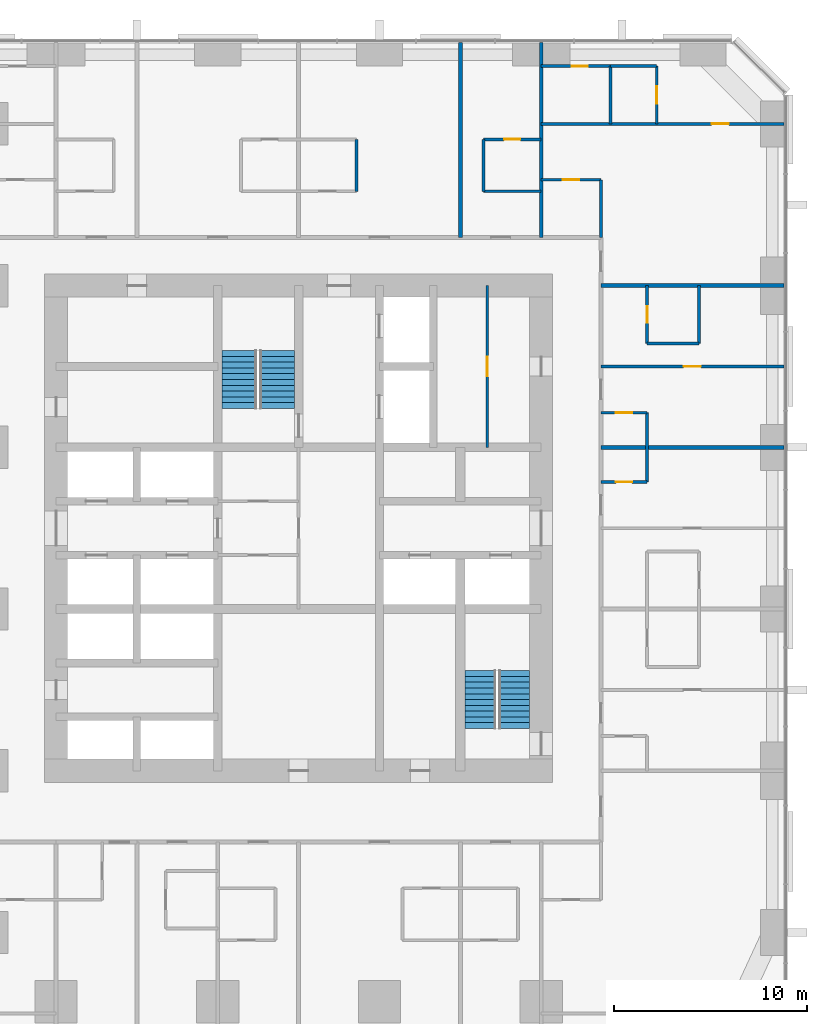
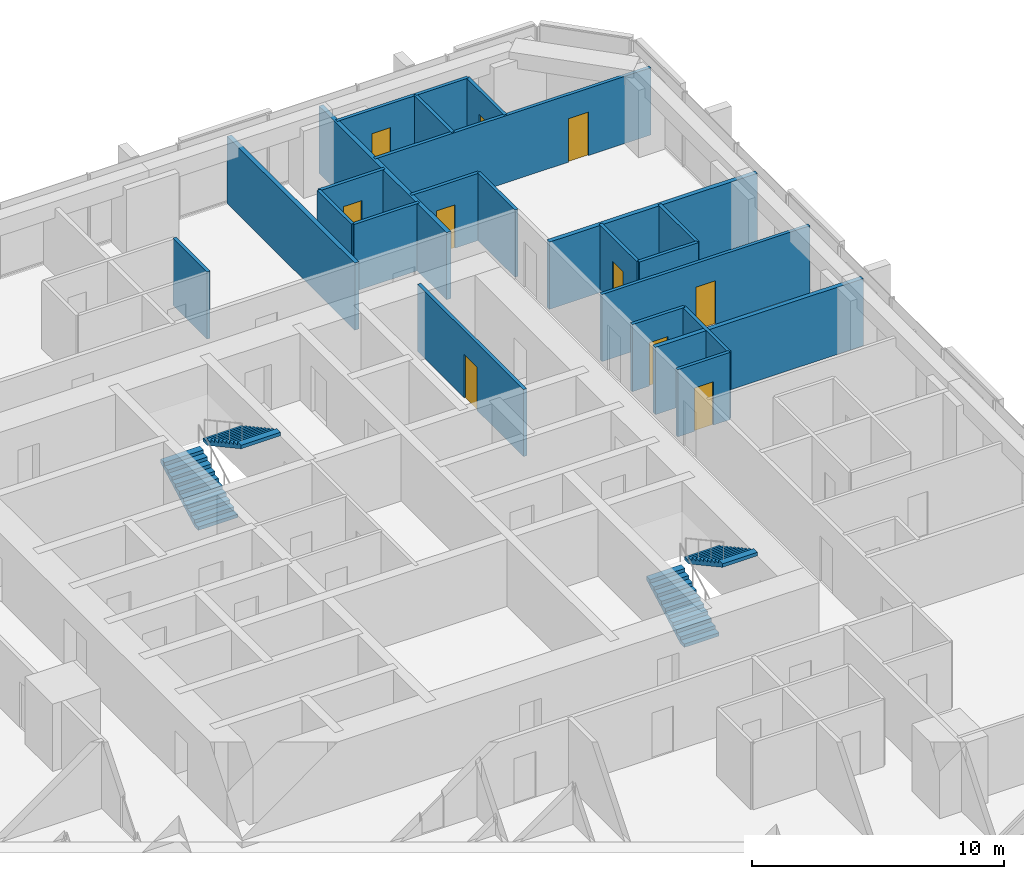
# One storey, part 12 of 13: 23 walls, 10 doors, 4 stair flights, 10 openings, 2 elements without a shape of their own.
"""IFC4 building model written with IfcOpenShell, lengths in metres."""

from ifc_helpers import new_model, si_unit, direction, frame, frame_2d, origin, place, context, subcontext, project, spatial, polyline, rectangle, outline, extrude, material, layer, layer_set, type_object, element, fill, aggregate, save


model = new_model("IFC4")

# Units and contexts
model_context = context("Model", 3, precision=1e-05, world=origin(), true_north=direction((0.0, 1.0)))
body_context = subcontext(model_context, "Body", "Model", "MODEL_VIEW")
ifc_project = project(units=[si_unit("LENGTHUNIT", "METRE"), si_unit("AREAUNIT", "SQUARE_METRE"), si_unit("VOLUMEUNIT", "CUBIC_METRE"), si_unit("PLANEANGLEUNIT", "RADIAN"), si_unit("MASSUNIT", "GRAM", prefix="KILO")], contexts=[model_context])

# Site, building, storey
site_placement = place(None, origin())
site = spatial("IfcSite", under=ifc_project, at=site_placement, CompositionType="ELEMENT")
building_placement = place(site_placement, origin())
building = spatial("IfcBuilding", under=site, at=building_placement, Name="Dunama Terrace Hotel", CompositionType="ELEMENT")
storey_placement = place(building_placement, frame((0.0, 0.0, 144.0)))
storey = spatial("IfcBuildingStorey", under=building, at=storey_placement, Name="L37", CompositionType="ELEMENT", Elevation=144.0)

# Walls
ifc_material_1 = material(Name="Gypsum board partition", Category="masonry")
ifc_layer_1 = layer(ifc_material_1, 0.14990234375)
ifc_layer_set_1 = layer_set([ifc_layer_1], Name="Bathroom partition 150")
wall_type_1 = type_object("IfcWallType", Name="Bathroom partition 150", PredefinedType="PARTITIONING", material=ifc_layer_set_1)
for number, where, z_axis, x_axis, name in (
    (1, (32.39990234375, 46.89990234375, 0.0), (0.0, 0.0, 1.0), (0.0, 1.0, 0.0), "Bathroom partition 150 L37"),
    (2, (39.0, 46.89990234375, 0.0), (0.0, 0.0, 1.0), (0.0, 1.0, 0.0), "Bathroom partition 150 L37"),
):
    element("IfcWall", number, at=place(storey_placement, frame(where, z_axis=z_axis, x_axis=x_axis)), inside=storey, type_object=wall_type_1, Name=name, PredefinedType="PARTITIONING", context=body_context, shape_type="SweptSolid", body=[
        extrude(rectangle(XDim=2.7001953125, YDim=0.14990234375, at=frame_2d((1.35009765625, 0.0))), origin(), (0.0, 0.0, 1.0), 3.25),
    ])
wall_1_placement = place(storey_placement, frame((45.10009765625, 44.5, 0.0), z_axis=(0.0, 0.0, 1.0), x_axis=(0.0, 1.0, 0.0)))
element("IfcWall", 3, at=wall_1_placement, inside=storey, type_object=wall_type_1, Name="Bathroom partition 150 L37", PredefinedType="PARTITIONING", context=body_context, shape_type="SweptSolid", body=[
    extrude(rectangle(XDim=3.0, YDim=0.14990234375, at=frame_2d((1.5, 0.0))), origin(), (0.0, 0.0, 1.0), 3.25),
])
wall_2_placement = place(storey_placement, frame((47.5, 31.800048828125, 0.0), z_axis=(0.0, 0.0, 1.0), x_axis=(0.0, 1.0, 0.0)))
element("IfcWall", 4, at=wall_2_placement, inside=storey, type_object=wall_type_1, Name="Bathroom partition 150 L37", PredefinedType="PARTITIONING", context=body_context, shape_type="SweptSolid", body=[
    extrude(rectangle(XDim=3.599853515625, YDim=0.14990234375, at=frame_2d((1.7998046875, 0.0))), origin(), (0.0, 0.0, 1.0), 3.25),
])

# Wall, opening, door
wall_3_placement = place(storey_placement, frame((47.5, 39.0, 0.0), z_axis=(0.0, 0.0, 1.0), x_axis=(0.0, 1.0, 0.0)))
wall_3 = element("IfcWall", 5, at=wall_3_placement, inside=storey, type_object=wall_type_1, Name="Bathroom partition 150 L37", PredefinedType="PARTITIONING", context=body_context, shape_type="SweptSolid", body=[
    extrude(rectangle(XDim=3.0, YDim=0.14990234375, at=frame_2d((1.5, 0.0))), origin(), (0.0, 0.0, 1.0), 3.25),
])
opening_1_placement = place(wall_3_placement, frame((1.074951171875, 0.0, 0.0)))
opening_1 = element("IfcOpeningElement", 6, at=opening_1_placement, cuts=wall_3, Name="Opening L37-032", PredefinedType="OPENING", context=body_context, shape_type="SweptSolid", body=[
    extrude(rectangle(XDim=0.85009765625, YDim=2.10009765625, at=frame_2d((0.425048828125, 1.050048828125))), frame((0.0, 0.0849609375, 0.0), z_axis=(0.0, -1.0, 0.0), x_axis=(1.0, 0.0, 0.0)), (0.0, 0.0, 1.0), 0.169921875),
])
ifc_material_2 = material(Name="Timber door with steel frame", Category="steel")
door_type_1 = type_object("IfcDoorType", Name="Bathroom door 850", OperationType="SINGLE_SWING_LEFT", PredefinedType="DOOR", material=ifc_material_2)
door_1_placement = place(opening_1_placement, frame((0.85009765625, 0.0, 0.0), z_axis=(0.0, 0.0, 1.0), x_axis=(-1.0, 0.0, 0.0)))
door_1 = element("IfcDoor", 7, at=door_1_placement, inside=storey, type_object=door_type_1, Name="Door to en-suite bathroom L37-032, type D2", OperationType="SINGLE_SWING_LEFT", OverallHeight=2.10009765625, OverallWidth=0.85009765625, PredefinedType="DOOR", context=body_context, shape_type="SweptSolid", body=[
    extrude(rectangle(XDim=0.85009765625, YDim=2.10009765625, at=frame_2d((0.425048828125, 1.050048828125))), frame((0.0, 0.025146484375, 0.0), z_axis=(0.0, -1.0, 0.0), x_axis=(1.0, 0.0, 0.0)), (0.0, 0.0, 1.0), 0.050048828125),
])
fill(opening_1, door_1)

# Wall
wall_4_placement = place(storey_placement, frame((50.199951171875, 39.0, 0.0), z_axis=(0.0, 0.0, 1.0), x_axis=(0.0, 1.0, 0.0)))
element("IfcWall", 8, at=wall_4_placement, inside=storey, type_object=wall_type_1, Name="Bathroom partition 150 L37", PredefinedType="PARTITIONING", context=body_context, shape_type="SweptSolid", body=[
    extrude(rectangle(XDim=3.0, YDim=0.14990234375, at=frame_2d((1.5, 0.0))), origin(), (0.0, 0.0, 1.0), 3.25),
])

# Wall, opening, door
wall_5_placement = place(storey_placement, frame((45.10009765625, 31.800048828125, 0.0), z_axis=(0.0, 0.0, 1.0), x_axis=(1.0, 0.0, 0.0)))
wall_5 = element("IfcWall", 9, at=wall_5_placement, inside=storey, type_object=wall_type_1, Name="Bathroom partition 150 L37", PredefinedType="PARTITIONING", context=body_context, shape_type="SweptSolid", body=[
    extrude(rectangle(XDim=2.39990234375, YDim=0.14990234375, at=frame_2d((1.199951171875, 0.0))), origin(), (0.0, 0.0, 1.0), 3.25),
])
opening_2_placement = place(wall_5_placement, frame((0.77490234375, 0.0, 0.0)))
opening_2 = element("IfcOpeningElement", 10, at=opening_2_placement, cuts=wall_5, Name="Opening L37-026", PredefinedType="OPENING", context=body_context, shape_type="SweptSolid", body=[
    extrude(rectangle(XDim=0.85009765625, YDim=2.10009765625, at=frame_2d((0.425048828125, 1.050048828125))), frame((0.0, 0.0849609375, 0.0), z_axis=(0.0, -1.0, 0.0), x_axis=(1.0, 0.0, 0.0)), (0.0, 0.0, 1.0), 0.169921875),
])
door_2_placement = place(opening_2_placement, origin())
door_2 = element("IfcDoor", 11, at=door_2_placement, inside=storey, type_object=door_type_1, Name="Door to powder room L37-026, type D2", OperationType="SINGLE_SWING_LEFT", OverallHeight=2.10009765625, OverallWidth=0.85009765625, PredefinedType="DOOR", context=body_context, shape_type="SweptSolid", body=[
    extrude(rectangle(XDim=0.85009765625, YDim=2.10009765625, at=frame_2d((0.425048828125, 1.050048828125))), frame((0.0, 0.02490234375, 0.0), z_axis=(0.0, -1.0, 0.0), x_axis=(1.0, 0.0, 0.0)), (0.0, 0.0, 1.0), 0.050048828125),
])
fill(opening_2, door_2)

wall_6_placement = place(storey_placement, frame((45.10009765625, 35.39990234375, 0.0), z_axis=(0.0, 0.0, 1.0), x_axis=(1.0, 0.0, 0.0)))
wall_6 = element("IfcWall", 12, at=wall_6_placement, inside=storey, type_object=wall_type_1, Name="Bathroom partition 150 L37", PredefinedType="PARTITIONING", context=body_context, shape_type="SweptSolid", body=[
    extrude(rectangle(XDim=2.39990234375, YDim=0.14990234375, at=frame_2d((1.199951171875, 0.0))), origin(), (0.0, 0.0, 1.0), 3.25),
])
opening_3_placement = place(wall_6_placement, frame((0.77490234375, 0.0, 0.0)))
opening_3 = element("IfcOpeningElement", 13, at=opening_3_placement, cuts=wall_6, Name="Opening L37-030", PredefinedType="OPENING", context=body_context, shape_type="SweptSolid", body=[
    extrude(rectangle(XDim=0.85009765625, YDim=2.10009765625, at=frame_2d((0.425048828125, 1.050048828125))), frame((0.0, 0.0849609375, 0.0), z_axis=(0.0, -1.0, 0.0), x_axis=(1.0, 0.0, 0.0)), (0.0, 0.0, 1.0), 0.169921875),
])
door_3_placement = place(opening_3_placement, frame((0.85009765625, 0.0, 0.0), z_axis=(0.0, 0.0, 1.0), x_axis=(-1.0, 0.0, 0.0)))
door_3 = element("IfcDoor", 14, at=door_3_placement, inside=storey, type_object=door_type_1, Name="Door to powder room L37-030, type D2", OperationType="SINGLE_SWING_RIGHT", OverallHeight=2.10009765625, OverallWidth=0.85009765625, PredefinedType="DOOR", context=body_context, shape_type="SweptSolid", body=[
    extrude(rectangle(XDim=0.85009765625, YDim=2.10009765625, at=frame_2d((0.425048828125, 1.050048828125))), frame((0.0, 0.025146484375, 0.0), z_axis=(0.0, -1.0, 0.0), x_axis=(1.0, 0.0, 0.0)), (0.0, 0.0, 1.0), 0.050048828125),
])
fill(opening_3, door_3)

# Walls
wall_7_placement = place(storey_placement, frame((47.5, 39.0, 0.0), z_axis=(0.0, 0.0, 1.0), x_axis=(1.0, 0.0, 0.0)))
element("IfcWall", 15, at=wall_7_placement, inside=storey, type_object=wall_type_1, Name="Bathroom partition 150 L37", PredefinedType="PARTITIONING", context=body_context, shape_type="SweptSolid", body=[
    extrude(rectangle(XDim=2.699951171875, YDim=0.14990234375, at=frame_2d((1.35009765625, 0.0))), origin(), (0.0, 0.0, 1.0), 3.25),
])
wall_8_placement = place(storey_placement, frame((39.0, 46.89990234375, 0.0), z_axis=(0.0, 0.0, 1.0), x_axis=(1.0, 0.0, 0.0)))
element("IfcWall", 16, at=wall_8_placement, inside=storey, type_object=wall_type_1, Name="Bathroom partition 150 L37", PredefinedType="PARTITIONING", context=body_context, shape_type="SweptSolid", body=[
    extrude(rectangle(XDim=3.0, YDim=0.14990234375, at=frame_2d((1.5, 0.0))), origin(), (0.0, 0.0, 1.0), 3.25),
])

# Wall, opening, door
wall_9_placement = place(storey_placement, frame((42.0, 47.5, 0.0), z_axis=(0.0, 0.0, 1.0), x_axis=(1.0, 0.0, 0.0)))
wall_9 = element("IfcWall", 17, at=wall_9_placement, inside=storey, type_object=wall_type_1, Name="Bathroom partition 150 L37", PredefinedType="PARTITIONING", context=body_context, shape_type="SweptSolid", body=[
    extrude(rectangle(XDim=3.10009765625, YDim=0.14990234375, at=frame_2d((1.550048828125, 0.0))), origin(), (0.0, 0.0, 1.0), 3.25),
])
opening_4_placement = place(wall_9_placement, frame((1.125, 0.0, 0.0)))
opening_4 = element("IfcOpeningElement", 18, at=opening_4_placement, cuts=wall_9, Name="Opening L37-060", PredefinedType="OPENING", context=body_context, shape_type="SweptSolid", body=[
    extrude(rectangle(XDim=0.85009765625, YDim=2.10009765625, at=frame_2d((0.425048828125, 1.050048828125))), frame((0.0, 0.0849609375, 0.0), z_axis=(0.0, -1.0, 0.0), x_axis=(1.0, 0.0, 0.0)), (0.0, 0.0, 1.0), 0.169921875),
])
door_4_placement = place(opening_4_placement, frame((0.85009765625, 0.0, 0.0), z_axis=(0.0, 0.0, 1.0), x_axis=(-1.0, 0.0, 0.0)))
door_4 = element("IfcDoor", 19, at=door_4_placement, inside=storey, type_object=door_type_1, Name="Door to powder room L37-060, type D2", OperationType="SINGLE_SWING_RIGHT", OverallHeight=2.10009765625, OverallWidth=0.85009765625, PredefinedType="DOOR", context=body_context, shape_type="SweptSolid", body=[
    extrude(rectangle(XDim=0.85009765625, YDim=2.10009765625, at=frame_2d((0.425048828125, 1.050048828125))), frame((0.0, 0.025146484375, 0.0), z_axis=(0.0, -1.0, 0.0), x_axis=(1.0, 0.0, 0.0)), (0.0, 0.0, 1.0), 0.050048828125),
])
fill(opening_4, door_4)

wall_10_placement = place(storey_placement, frame((39.0, 49.60009765625, 0.0), z_axis=(0.0, 0.0, 1.0), x_axis=(1.0, 0.0, 0.0)))
wall_10 = element("IfcWall", 20, at=wall_10_placement, inside=storey, type_object=wall_type_1, Name="Bathroom partition 150 L37", PredefinedType="PARTITIONING", context=body_context, shape_type="SweptSolid", body=[
    extrude(rectangle(XDim=3.0, YDim=0.14990234375, at=frame_2d((1.5, 0.0))), origin(), (0.0, 0.0, 1.0), 3.25),
])
opening_5_placement = place(wall_10_placement, frame((1.074951171875, 0.0, 0.0)))
opening_5 = element("IfcOpeningElement", 21, at=opening_5_placement, cuts=wall_10, Name="Opening L37-040", PredefinedType="OPENING", context=body_context, shape_type="SweptSolid", body=[
    extrude(rectangle(XDim=0.85009765625, YDim=2.10009765625, at=frame_2d((0.425048828125, 1.050048828125))), frame((0.0, 0.0849609375, 0.0), z_axis=(0.0, -1.0, 0.0), x_axis=(1.0, 0.0, 0.0)), (0.0, 0.0, 1.0), 0.169921875),
])
door_5_placement = place(opening_5_placement, frame((0.85009765625, 0.0, 0.0), z_axis=(0.0, 0.0, 1.0), x_axis=(-1.0, 0.0, 0.0)))
door_5 = element("IfcDoor", 22, at=door_5_placement, inside=storey, type_object=door_type_1, Name="Door to en-suite bathroom L37-040, type D2", OperationType="SINGLE_SWING_LEFT", OverallHeight=2.10009765625, OverallWidth=0.85009765625, PredefinedType="DOOR", context=body_context, shape_type="SweptSolid", body=[
    extrude(rectangle(XDim=0.85009765625, YDim=2.10009765625, at=frame_2d((0.425048828125, 1.050048828125))), frame((0.0, 0.025146484375, 0.0), z_axis=(0.0, -1.0, 0.0), x_axis=(1.0, 0.0, 0.0)), (0.0, 0.0, 1.0), 0.050048828125),
])
fill(opening_5, door_5)

wall_11_placement = place(storey_placement, frame((42.0, 53.39990234375, 0.0), z_axis=(0.0, 0.0, 1.0), x_axis=(1.0, 0.0, 0.0)))
wall_11 = element("IfcWall", 23, at=wall_11_placement, inside=storey, type_object=wall_type_1, Name="Bathroom partition 150 L37", PredefinedType="PARTITIONING", context=body_context, shape_type="SweptSolid", body=[
    extrude(rectangle(XDim=3.60009765625, YDim=0.14990234375, at=frame_2d((1.800048828125, 0.0))), origin(), (0.0, 0.0, 1.0), 3.25),
])
opening_6_placement = place(wall_11_placement, frame((1.574951171875, 0.0, 0.0)))
opening_6 = element("IfcOpeningElement", 24, at=opening_6_placement, cuts=wall_11, Name="Opening L37-062", PredefinedType="OPENING", context=body_context, shape_type="SweptSolid", body=[
    extrude(rectangle(XDim=0.85009765625, YDim=2.10009765625, at=frame_2d((0.425048828125, 1.050048828125))), frame((0.0, 0.0849609375, 0.0), z_axis=(0.0, -1.0, 0.0), x_axis=(1.0, 0.0, 0.0)), (0.0, 0.0, 1.0), 0.169921875),
])
door_6_placement = place(opening_6_placement, frame((0.85009765625, 0.0, 0.0), z_axis=(0.0, 0.0, 1.0), x_axis=(-1.0, 0.0, 0.0)))
door_6 = element("IfcDoor", 25, at=door_6_placement, inside=storey, type_object=door_type_1, Name="Door to en-suite bathroom L37-062, type D2", OperationType="SINGLE_SWING_RIGHT", OverallHeight=2.10009765625, OverallWidth=0.85009765625, PredefinedType="DOOR", context=body_context, shape_type="SweptSolid", body=[
    extrude(rectangle(XDim=0.85009765625, YDim=2.10009765625, at=frame_2d((0.425048828125, 1.050048828125))), frame((0.0, 0.025146484375, 0.0), z_axis=(0.0, -1.0, 0.0), x_axis=(1.0, 0.0, 0.0)), (0.0, 0.0, 1.0), 0.050048828125),
])
fill(opening_6, door_6)

# Walls
ifc_material_3 = material(Name="Concrete blockwork", Category="masonry")
ifc_layer_2 = layer(ifc_material_3, 0.199951171875)
ifc_layer_set_2 = layer_set([ifc_layer_2], Name="Party wall 200")
wall_type_2 = type_object("IfcWallType", Name="Party wall 200", PredefinedType="PARTITIONING", material=ifc_layer_set_2)
for number, where, z_axis, x_axis, name in (
    (26, (37.800048828125, 44.5, 0.0), (0.0, 0.0, 1.0), (0.0, 1.0, 0.0), "Party wall 200 L37"),
    (27, (42.0, 44.5, 0.0), (0.0, 0.0, 1.0), (0.0, 1.0, 0.0), "Party wall 200 L37"),
):
    element("IfcWall", number, at=place(storey_placement, frame(where, z_axis=z_axis, x_axis=x_axis)), inside=storey, type_object=wall_type_2, Name=name, PredefinedType="PARTITIONING", context=body_context, shape_type="SweptSolid", body=[
        extrude(rectangle(XDim=10.117919921875, YDim=0.199951171875, at=frame_2d((5.05908203125, 0.0))), origin(), (0.0, 0.0, 1.0), 3.25),
    ])
for number, where, z_axis, x_axis, name in (
    (28, (45.10009765625, 33.60009765625, 0.0), (0.0, 0.0, 1.0), (1.0, 0.0, 0.0), "Party wall 200 L37"),
    (29, (45.10009765625, 42.0, 0.0), (0.0, 0.0, 1.0), (1.0, 0.0, 0.0), "Party wall 200 L37"),
):
    element("IfcWall", number, at=place(storey_placement, frame(where, z_axis=z_axis, x_axis=x_axis)), inside=storey, type_object=wall_type_2, Name=name, PredefinedType="PARTITIONING", context=body_context, shape_type="SweptSolid", body=[
        extrude(rectangle(XDim=9.517822265625, YDim=0.199951171875, at=frame_2d((4.7587890625, 0.0))), origin(), (0.0, 0.0, 1.0), 3.25),
    ])

# Wall, opening, door
ifc_material_4 = material(Name="Gypsum board partition", Category="masonry")
ifc_layer_3 = layer(ifc_material_4, 0.14990234375)
ifc_layer_set_3 = layer_set([ifc_layer_3], Name="Room partition 150")
wall_type_3 = type_object("IfcWallType", Name="Room partition 150", PredefinedType="PARTITIONING", material=ifc_layer_set_3)
wall_12_placement = place(storey_placement, frame((39.199951171875, 33.60009765625, 0.0), z_axis=(0.0, 0.0, 1.0), x_axis=(0.0, 1.0, 0.0)))
wall_12 = element("IfcWall", 30, at=wall_12_placement, inside=storey, type_object=wall_type_3, Name="Room partition 150 L37", PredefinedType="PARTITIONING", context=body_context, shape_type="SweptSolid", body=[
    extrude(rectangle(XDim=8.39990234375, YDim=0.14990234375, at=frame_2d((4.199951171875, 0.0))), origin(), (0.0, 0.0, 1.0), 3.25),
])
opening_7_placement = place(wall_12_placement, frame((3.699951171875, 0.0, 0.0)))
opening_7 = element("IfcOpeningElement", 31, at=opening_7_placement, cuts=wall_12, Name="Opening L37-080", PredefinedType="OPENING", context=body_context, shape_type="SweptSolid", body=[
    extrude(rectangle(XDim=1.0, YDim=2.10009765625, at=frame_2d((0.5, 1.050048828125))), frame((0.0, 0.0849609375, 0.0), z_axis=(0.0, -1.0, 0.0), x_axis=(1.0, 0.0, 0.0)), (0.0, 0.0, 1.0), 0.169921875),
])
ifc_material_5 = material(Name="Timber door with steel frame", Category="steel")
door_type_2 = type_object("IfcDoorType", Name="Service door 1000", OperationType="SINGLE_SWING_LEFT", PredefinedType="DOOR", material=ifc_material_5)
door_7_placement = place(opening_7_placement, frame((1.0, 0.0, 0.0), z_axis=(0.0, 0.0, 1.0), x_axis=(-1.0, 0.0, 0.0)))
door_7 = element("IfcDoor", 32, at=door_7_placement, inside=storey, type_object=door_type_2, Name="Door to luggage store L37-080, type D7", OperationType="SINGLE_SWING_RIGHT", OverallHeight=2.10009765625, OverallWidth=1.0, PredefinedType="DOOR", context=body_context, shape_type="SweptSolid", body=[
    extrude(rectangle(XDim=1.0, YDim=2.10009765625, at=frame_2d((0.5, 1.050048828125))), frame((0.0, 0.025146484375, 0.0), z_axis=(0.0, -1.0, 0.0), x_axis=(1.0, 0.0, 0.0)), (0.0, 0.0, 1.0), 0.050048828125),
])
fill(opening_7, door_7)

# Wall
wall_13_placement = place(storey_placement, frame((45.60009765625, 50.39990234375, 0.0), z_axis=(0.0, 0.0, 1.0), x_axis=(0.0, 1.0, 0.0)))
element("IfcWall", 33, at=wall_13_placement, inside=storey, type_object=wall_type_3, Name="Room partition 150 L37", PredefinedType="PARTITIONING", context=body_context, shape_type="SweptSolid", body=[
    extrude(rectangle(XDim=3.0, YDim=0.14990234375, at=frame_2d((1.5, 0.0))), origin(), (0.0, 0.0, 1.0), 3.25),
])

# Wall, opening, door
wall_14_placement = place(storey_placement, frame((48.0, 50.39990234375, 0.0), z_axis=(0.0, 0.0, 1.0), x_axis=(0.0, 1.0, 0.0)))
wall_14 = element("IfcWall", 34, at=wall_14_placement, inside=storey, type_object=wall_type_3, Name="Room partition 150 L37", PredefinedType="PARTITIONING", context=body_context, shape_type="SweptSolid", body=[
    extrude(rectangle(XDim=3.0, YDim=0.14990234375, at=frame_2d((1.5, 0.0))), origin(), (0.0, 0.0, 1.0), 3.25),
])
opening_8_placement = place(wall_14_placement, frame((1.050048828125, 0.0, 0.0)))
opening_8 = element("IfcOpeningElement", 35, at=opening_8_placement, cuts=wall_14, Name="Opening L37-063", PredefinedType="OPENING", context=body_context, shape_type="SweptSolid", body=[
    extrude(rectangle(XDim=0.89990234375, YDim=2.10009765625, at=frame_2d((0.449951171875, 1.050048828125))), frame((0.0, 0.0849609375, 0.0), z_axis=(0.0, -1.0, 0.0), x_axis=(1.0, 0.0, 0.0)), (0.0, 0.0, 1.0), 0.169921875),
])
ifc_material_6 = material(Name="Timber door with steel frame", Category="steel")
door_type_3 = type_object("IfcDoorType", Name="Suite internal door 900", OperationType="SINGLE_SWING_LEFT", PredefinedType="DOOR", material=ifc_material_6)
door_8_placement = place(opening_8_placement, origin())
door_8 = element("IfcDoor", 36, at=door_8_placement, inside=storey, type_object=door_type_3, Name="Door to dressing room L37-063, type D16", OperationType="SINGLE_SWING_LEFT", OverallHeight=2.10009765625, OverallWidth=0.89990234375, PredefinedType="DOOR", context=body_context, shape_type="SweptSolid", body=[
    extrude(rectangle(XDim=0.89990234375, YDim=2.10009765625, at=frame_2d((0.449951171875, 1.050048828125))), frame((0.0, 0.02490234375, 0.0), z_axis=(0.0, -1.0, 0.0), x_axis=(1.0, 0.0, 0.0)), (0.0, 0.0, 1.0), 0.050048828125),
])
fill(opening_8, door_8)

wall_15_placement = place(storey_placement, frame((45.10009765625, 37.800048828125, 0.0), z_axis=(0.0, 0.0, 1.0), x_axis=(1.0, 0.0, 0.0)))
wall_15 = element("IfcWall", 37, at=wall_15_placement, inside=storey, type_object=wall_type_3, Name="Room partition 150 L37", PredefinedType="PARTITIONING", context=body_context, shape_type="SweptSolid", body=[
    extrude(rectangle(XDim=9.517822265625, YDim=0.14990234375, at=frame_2d((4.7587890625, 0.0))), origin(), (0.0, 0.0, 1.0), 3.25),
])
opening_9_placement = place(wall_15_placement, frame((4.300048828125, 0.0, 0.0)))
opening_9 = element("IfcOpeningElement", 38, at=opening_9_placement, cuts=wall_15, Name="Opening L37-031", PredefinedType="OPENING", context=body_context, shape_type="SweptSolid", body=[
    extrude(rectangle(XDim=0.89990234375, YDim=2.10009765625, at=frame_2d((0.449951171875, 1.050048828125))), frame((0.0, 0.0849609375, 0.0), z_axis=(0.0, -1.0, 0.0), x_axis=(1.0, 0.0, 0.0)), (0.0, 0.0, 1.0), 0.169921875),
])
door_9_placement = place(opening_9_placement, origin())
door_9 = element("IfcDoor", 39, at=door_9_placement, inside=storey, type_object=door_type_3, Name="Door to premier suite bedroom L37-031, type D16", OperationType="SINGLE_SWING_LEFT", OverallHeight=2.10009765625, OverallWidth=0.89990234375, PredefinedType="DOOR", context=body_context, shape_type="SweptSolid", body=[
    extrude(rectangle(XDim=0.89990234375, YDim=2.10009765625, at=frame_2d((0.449951171875, 1.050048828125))), frame((0.0, 0.02490234375, 0.0), z_axis=(0.0, -1.0, 0.0), x_axis=(1.0, 0.0, 0.0)), (0.0, 0.0, 1.0), 0.050048828125),
])
fill(opening_9, door_9)

wall_16_placement = place(storey_placement, frame((42.0, 50.39990234375, 0.0), z_axis=(0.0, 0.0, 1.0), x_axis=(1.0, 0.0, 0.0)))
wall_16 = element("IfcWall", 40, at=wall_16_placement, inside=storey, type_object=wall_type_3, Name="Room partition 150 L37", PredefinedType="PARTITIONING", context=body_context, shape_type="SweptSolid", body=[
    extrude(rectangle(XDim=12.617919921875, YDim=0.14990234375, at=frame_2d((6.30908203125, 0.0))), origin(), (0.0, 0.0, 1.0), 3.25),
])
opening_10_placement = place(wall_16_placement, frame((8.85009765625, 0.0, 0.0)))
opening_10 = element("IfcOpeningElement", 41, at=opening_10_placement, cuts=wall_16, Name="Opening L37-061", PredefinedType="OPENING", context=body_context, shape_type="SweptSolid", body=[
    extrude(rectangle(XDim=0.89990234375, YDim=2.10009765625, at=frame_2d((0.449951171875, 1.050048828125))), frame((0.0, 0.0849609375, 0.0), z_axis=(0.0, -1.0, 0.0), x_axis=(1.0, 0.0, 0.0)), (0.0, 0.0, 1.0), 0.169921875),
])
door_10_placement = place(opening_10_placement, origin())
door_10 = element("IfcDoor", 42, at=door_10_placement, inside=storey, type_object=door_type_3, Name="Door to corner suite bedroom L37-061, type D16", OperationType="SINGLE_SWING_RIGHT", OverallHeight=2.10009765625, OverallWidth=0.89990234375, PredefinedType="DOOR", context=body_context, shape_type="SweptSolid", body=[
    extrude(rectangle(XDim=0.89990234375, YDim=2.10009765625, at=frame_2d((0.449951171875, 1.050048828125))), frame((0.0, 0.02490234375, 0.0), z_axis=(0.0, -1.0, 0.0), x_axis=(1.0, 0.0, 0.0)), (0.0, 0.0, 1.0), 0.050048828125),
])
fill(opening_10, door_10)

# Wall
wall_17_placement = place(storey_placement, frame((45.60009765625, 53.39990234375, 0.0), z_axis=(0.0, 0.0, 1.0), x_axis=(1.0, 0.0, 0.0)))
element("IfcWall", 43, at=wall_17_placement, inside=storey, type_object=wall_type_3, Name="Room partition 150 L37", PredefinedType="PARTITIONING", context=body_context, shape_type="SweptSolid", body=[
    extrude(rectangle(XDim=2.39990234375, YDim=0.14990234375, at=frame_2d((1.199951171875, 0.0))), origin(), (0.0, 0.0, 1.0), 3.25),
])

# Stair, stair flights
ifc_material_7 = material(Name="Concrete C40/50", Category="concrete")
stair_type_1 = type_object("IfcStairType", Name="Stair ST1-3600-1800", PredefinedType="HALF_TURN_STAIR", material=ifc_material_7)
stair_1_placement = place(storey_placement, origin())
stair_1 = element("IfcStair", 44, at=stair_1_placement, inside=storey, type_object=stair_type_1, Name="Stair ST1 L37", PredefinedType="HALF_TURN_STAIR")
ifc_material_8 = material(Name="Concrete C40/50", Category="concrete")
stair_flight_type_1 = type_object("IfcStairFlightType", Name="Stair flight ST1-3600-1800", PredefinedType="STRAIGHT", material=ifc_material_8)
stair_flight_1_placement = place(storey_placement, frame((26.324951171875, 35.625, 0.0), z_axis=(0.0, 0.0, 1.0), x_axis=(0.0, 1.0, 0.0)))
stair_flight_1 = element("IfcStairFlight", 45, at=stair_flight_1_placement, type_object=stair_flight_type_1, Name="ST1 flight 1", NumberOfRisers=11, NumberOfTreads=10, PredefinedType="STRAIGHT", RiserHeight=0.163636364, TreadLength=0.3, context=body_context, shape_type="SweptSolid", body=[
    extrude(outline(polyline([(0.0, 0.0), (0.0, 0.16357421875), (0.300048828125, 0.16357421875), (0.300048828125, 0.327392578125), (0.60009765625, 0.327392578125), (0.60009765625, 0.490966796875), (0.89990234375, 0.490966796875), (0.89990234375, 0.654541015625), (1.199951171875, 0.654541015625), (1.199951171875, 0.818115234375), (1.5, 0.818115234375), (1.5, 0.98193359375), (1.800048828125, 0.98193359375), (1.800048828125, 1.1455078125), (2.10009765625, 1.1455078125), (2.10009765625, 1.30908203125), (2.39990234375, 1.30908203125), (2.39990234375, 1.47265625), (2.699951171875, 1.47265625), (2.699951171875, 1.636474609375), (3.0, 1.636474609375), (3.0, 1.800048828125), (3.0, 1.465576171875), (0.31298828125, 0.0), (0.0, 0.0)])), frame((0.0, 0.89990234375, 0.0), z_axis=(0.0, -1.0, 0.0), x_axis=(1.0, 0.0, 0.0)), (0.0, 0.0, 1.0), 1.800048828125),
])
stair_flight_2_placement = place(storey_placement, frame((28.27490234375, 38.625, 1.800048828125), z_axis=(0.0, 0.0, 1.0), x_axis=(0.0, -1.0, 0.0)))
stair_flight_2 = element("IfcStairFlight", 46, at=stair_flight_2_placement, type_object=stair_flight_type_1, Name="ST1 flight 2", NumberOfRisers=11, NumberOfTreads=10, PredefinedType="STRAIGHT", RiserHeight=0.163636364, TreadLength=0.3, context=body_context, shape_type="SweptSolid", body=[
    extrude(outline(polyline([(0.0, 0.0), (0.0, 0.16357421875), (0.300048828125, 0.16357421875), (0.300048828125, 0.327392578125), (0.60009765625, 0.327392578125), (0.60009765625, 0.490966796875), (0.89990234375, 0.490966796875), (0.89990234375, 0.654541015625), (1.199951171875, 0.654541015625), (1.199951171875, 0.818115234375), (1.5, 0.818115234375), (1.5, 0.98193359375), (1.800048828125, 0.98193359375), (1.800048828125, 1.1455078125), (2.10009765625, 1.1455078125), (2.10009765625, 1.30908203125), (2.39990234375, 1.30908203125), (2.39990234375, 1.47265625), (2.699951171875, 1.47265625), (2.699951171875, 1.636474609375), (3.0, 1.636474609375), (3.0, 1.800048828125), (3.0, 1.465576171875), (0.31298828125, 0.0), (0.0, 0.0)])), frame((0.0, 0.89990234375, 0.0), z_axis=(0.0, -1.0, 0.0), x_axis=(1.0, 0.0, 0.0)), (0.0, 0.0, 1.0), 1.800048828125),
])
aggregate(stair_1, [stair_flight_1, stair_flight_2])

ifc_material_9 = material(Name="Concrete C40/50", Category="concrete")
stair_type_2 = type_object("IfcStairType", Name="Stair ST2-3600-1600", PredefinedType="HALF_TURN_STAIR", material=ifc_material_9)
stair_2_placement = place(storey_placement, origin())
stair_2 = element("IfcStair", 47, at=stair_2_placement, inside=storey, type_object=stair_type_2, Name="Stair ST2 L37", PredefinedType="HALF_TURN_STAIR")
ifc_material_10 = material(Name="Concrete C40/50", Category="concrete")
stair_flight_type_2 = type_object("IfcStairFlightType", Name="Stair flight ST2-3600-1600", PredefinedType="STRAIGHT", material=ifc_material_10)
stair_flight_3_placement = place(storey_placement, frame((38.85009765625, 19.0, 0.0), z_axis=(0.0, 0.0, 1.0), x_axis=(0.0, 1.0, 0.0)))
stair_flight_3 = element("IfcStairFlight", 48, at=stair_flight_3_placement, type_object=stair_flight_type_2, Name="ST2 flight 1", NumberOfRisers=11, NumberOfTreads=10, PredefinedType="STRAIGHT", RiserHeight=0.163636364, TreadLength=0.3, context=body_context, shape_type="SweptSolid", body=[
    extrude(outline(polyline([(0.0, 0.0), (0.0, 0.16357421875), (0.300048828125, 0.16357421875), (0.300048828125, 0.327392578125), (0.60009765625, 0.327392578125), (0.60009765625, 0.490966796875), (0.89990234375, 0.490966796875), (0.89990234375, 0.654541015625), (1.199951171875, 0.654541015625), (1.199951171875, 0.818115234375), (1.5, 0.818115234375), (1.5, 0.98193359375), (1.800048828125, 0.98193359375), (1.800048828125, 1.1455078125), (2.10009765625, 1.1455078125), (2.10009765625, 1.30908203125), (2.39990234375, 1.30908203125), (2.39990234375, 1.47265625), (2.699951171875, 1.47265625), (2.699951171875, 1.636474609375), (3.0, 1.636474609375), (3.0, 1.800048828125), (3.0, 1.465576171875), (0.31298828125, 0.0), (0.0, 0.0)])), frame((0.0, 0.800048828125, 0.0), z_axis=(0.0, -1.0, 0.0), x_axis=(1.0, 0.0, 0.0)), (0.0, 0.0, 1.0), 1.60009765625),
])
stair_flight_4_placement = place(storey_placement, frame((40.60009765625, 22.0, 1.800048828125), z_axis=(0.0, 0.0, 1.0), x_axis=(0.0, -1.0, 0.0)))
stair_flight_4 = element("IfcStairFlight", 49, at=stair_flight_4_placement, type_object=stair_flight_type_2, Name="ST2 flight 2", NumberOfRisers=11, NumberOfTreads=10, PredefinedType="STRAIGHT", RiserHeight=0.163636364, TreadLength=0.3, context=body_context, shape_type="SweptSolid", body=[
    extrude(outline(polyline([(0.0, 0.0), (0.0, 0.16357421875), (0.300048828125, 0.16357421875), (0.300048828125, 0.327392578125), (0.60009765625, 0.327392578125), (0.60009765625, 0.490966796875), (0.89990234375, 0.490966796875), (0.89990234375, 0.654541015625), (1.199951171875, 0.654541015625), (1.199951171875, 0.818115234375), (1.5, 0.818115234375), (1.5, 0.98193359375), (1.800048828125, 0.98193359375), (1.800048828125, 1.1455078125), (2.10009765625, 1.1455078125), (2.10009765625, 1.30908203125), (2.39990234375, 1.30908203125), (2.39990234375, 1.47265625), (2.699951171875, 1.47265625), (2.699951171875, 1.636474609375), (3.0, 1.636474609375), (3.0, 1.800048828125), (3.0, 1.465576171875), (0.31298828125, 0.0), (0.0, 0.0)])), frame((0.0, 0.800048828125, 0.0), z_axis=(0.0, -1.0, 0.0), x_axis=(1.0, 0.0, 0.0)), (0.0, 0.0, 1.0), 1.60009765625),
])
aggregate(stair_2, [stair_flight_3, stair_flight_4])

save(model, "model.ifc")
